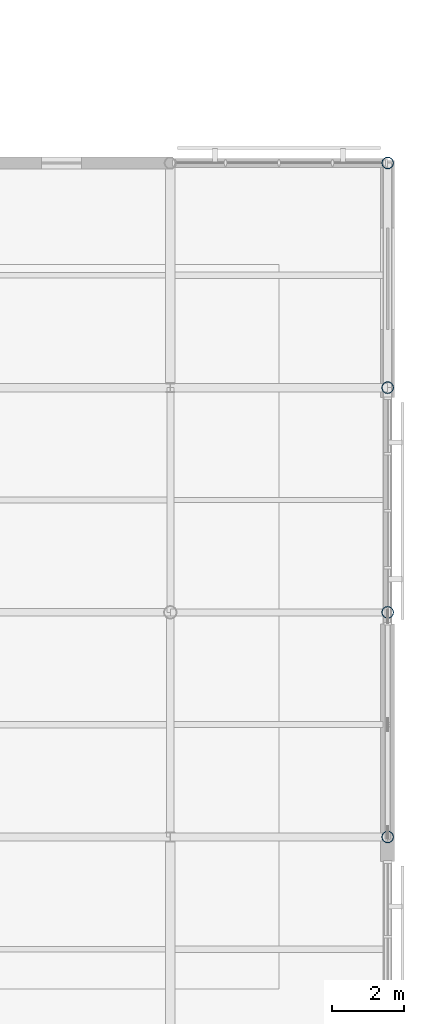
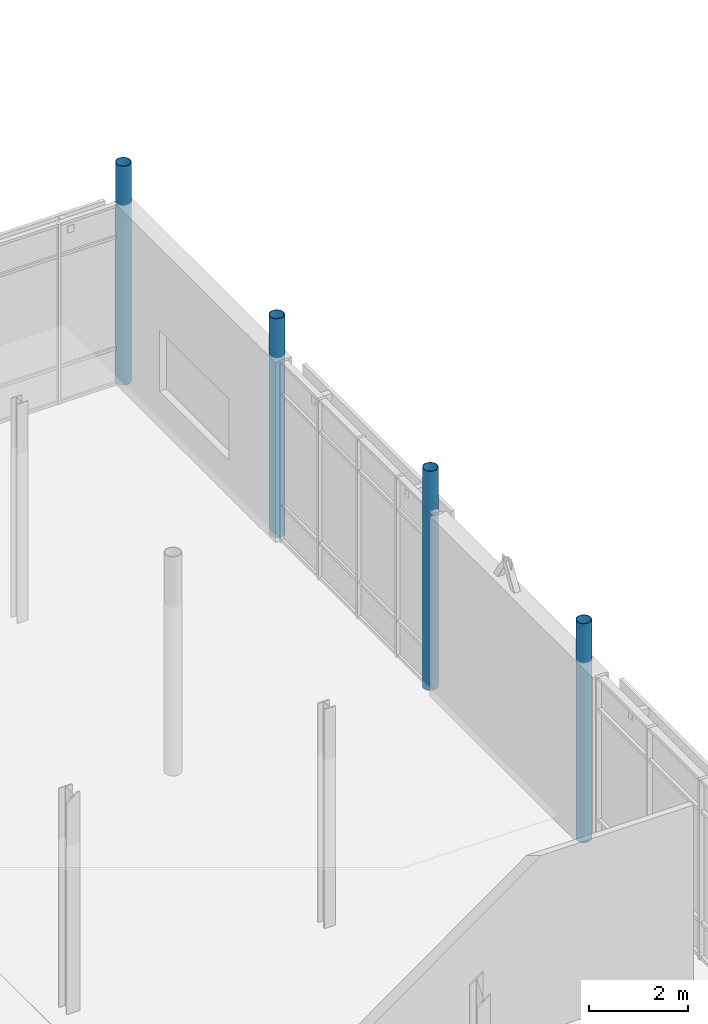
# One storey, part 17 of 105: 4 columns.
"""IFC4 building model written with IfcOpenShell, lengths in metres."""

import ifcopenshell
import ifcopenshell.guid

model = None  # the IFC model being written
_history = None  # IfcOwnerHistory: only IFC2X3 demands one
_inside = {}  # id of a spatial element -> (the spatial element, [elements in it])
_under = {}  # id of a project, library or spatial element -> (it, [spatial elements below it])
_declared = {}  # id of a project -> (the project, [libraries it declares])
_typed = {}  # id of a type object -> (the type object, [elements of that type])
_made_of = {}  # id of a material, layer set ... -> (it, [elements and type objects made of it])


def new_model(schema):
    """Start an empty IFC model of exactly this schema.

    Asked for "IFC4X3", IfcOpenShell would pick the latest addendum, in which some entities
    have other attributes; the version numbers below select the first issue.
    IFC2X3 requires an IfcOwnerHistory on every rooted entity: one is made here for all.
    """
    global model, _history
    if schema == "IFC4X3":
        model = ifcopenshell.file(schema_version=(4, 3, 0, 0))
    else:
        model = ifcopenshell.file(schema=schema)
    _inside.clear()
    _under.clear()
    _declared.clear()
    _typed.clear()
    _made_of.clear()
    _history = None
    if model.schema == "IFC2X3":
        org = make("IfcOrganization", Name="unknown")
        user = make(
            "IfcPersonAndOrganization",
            ThePerson=make("IfcPerson", FamilyName="unknown"),
            TheOrganization=org,
        )
        app = make(
            "IfcApplication",
            ApplicationDeveloper=org,
            Version="unknown",
            ApplicationFullName="unknown",
            ApplicationIdentifier="unknown",
        )
        _history = make(
            "IfcOwnerHistory",
            OwningUser=user,
            OwningApplication=app,
            ChangeAction="ADDED",
            CreationDate=0,
        )
    return model


def make(cls, **values):
    """One entity of the class cls with the attributes given. An attribute that is None is left unset."""
    return model.create_entity(
        cls, **{name: value for name, value in values.items() if value is not None}
    )


def rooted(cls, **values):
    """An entity with a GlobalId (a new one), such as an element, a storey or a relation."""
    return make(cls, GlobalId=ifcopenshell.guid.new(), OwnerHistory=_history, **values)


def si_unit(unit_type, name, prefix=None):
    """IfcSIUnit, for example si_unit("LENGTHUNIT", "METRE", prefix="MILLI")."""
    return make("IfcSIUnit", UnitType=unit_type, Prefix=prefix, Name=name)


def assignment(units):
    """IfcUnitAssignment: the units of a project."""
    return None if units is None else make("IfcUnitAssignment", Units=units)


def point(xyz):
    """IfcCartesianPoint."""
    return None if xyz is None else make("IfcCartesianPoint", Coordinates=xyz)


def direction(xyz):
    """IfcDirection."""
    return None if xyz is None else make("IfcDirection", DirectionRatios=xyz)


def frame(location, z_axis=None, x_axis=None):
    """IfcAxis2Placement3D, a coordinate frame: its origin and axes. An axis left out is left unset."""
    return make(
        "IfcAxis2Placement3D",
        Location=point(location),
        Axis=direction(z_axis),
        RefDirection=direction(x_axis),
    )


def frame_2d(location, x_axis=None):
    """IfcAxis2Placement2D, a coordinate frame in the plane: its origin and x axis."""
    return make(
        "IfcAxis2Placement2D", Location=point(location), RefDirection=direction(x_axis)
    )


def origin():
    """The frame at (0, 0, 0) with its axes left unset."""
    return frame((0.0, 0.0, 0.0))


def origin_2d():
    """The frame at (0, 0) in the plane with its x axis left unset."""
    return frame_2d((0.0, 0.0))


def place(relative_to, where):
    """IfcLocalPlacement: puts the frame where relative to a parent placement (None: the world)."""
    return make(
        "IfcLocalPlacement", PlacementRelTo=relative_to, RelativePlacement=where
    )


def context(
    kind, dimensions, precision=None, world=None, true_north=None, identifier=None
):
    """IfcGeometricRepresentationContext, for example the 3D "Model" context."""
    return make(
        "IfcGeometricRepresentationContext",
        ContextIdentifier=identifier,
        ContextType=kind,
        CoordinateSpaceDimension=dimensions,
        Precision=precision,
        WorldCoordinateSystem=world,
        TrueNorth=true_north,
    )


def subcontext(parent, identifier, kind, view, scale=None):
    """IfcGeometricRepresentationSubContext, for example "Body" below "Model"."""
    return make(
        "IfcGeometricRepresentationSubContext",
        ContextIdentifier=identifier,
        ContextType=kind,
        ParentContext=parent,
        TargetScale=scale,
        TargetView=view,
    )


def project(units=None, contexts=None):
    """IfcProject with its units and contexts."""
    return rooted(
        "IfcProject",
        Name="project",
        RepresentationContexts=contexts,
        UnitsInContext=assignment(units),
    )


def spatial(cls, under=None, at=None, **own):
    """A site, building, storey or space (cls), placed at a placement, below another one or the project."""
    s = rooted(cls, ObjectPlacement=at, **own)
    if under is not None:
        _under.setdefault(under.id(), (under, []))[1].append(s)
    return s


def profile(cls, at=None, kind="AREA", **sizes):
    """A parametric profile (cls). Its sizes go by their IFC names, for example OverallWidth=200.0."""
    return make(cls, ProfileType=kind, Position=at, **sizes)


def hollow_circle(**sizes):
    """IfcCircleHollowProfileDef."""
    return profile("IfcCircleHollowProfileDef", **sizes)


def extrude(swept, where, along, depth):
    """IfcExtrudedAreaSolid: the profile swept, set in the frame where, extruded along a direction by depth."""
    return make(
        "IfcExtrudedAreaSolid",
        SweptArea=swept,
        Position=where,
        ExtrudedDirection=direction(along),
        Depth=depth,
    )


def shape(context_of_items, identifier, shape_type, items):
    """IfcShapeRepresentation: the items that make up one representation, for example the "Body"."""
    return make(
        "IfcShapeRepresentation",
        ContextOfItems=context_of_items,
        RepresentationIdentifier=identifier,
        RepresentationType=shape_type,
        Items=items,
    )


def material(Name=None, Category=None):
    """IfcMaterial."""
    return make("IfcMaterial", Name=Name, Category=Category)


def material_profile(
    of_material, cross_section, Name=None, Category=None, Priority=None
):
    """IfcMaterialProfile: a cross section and its material."""
    return make(
        "IfcMaterialProfile",
        Name=Name,
        Material=of_material,
        Profile=cross_section,
        Priority=Priority,
        Category=Category,
    )


def profile_set(profiles, Name=None, composite=None):
    """IfcMaterialProfileSet."""
    return make(
        "IfcMaterialProfileSet",
        Name=Name,
        MaterialProfiles=profiles,
        CompositeProfile=composite,
    )


def made_of(thing, what):
    """Note that an element or type object is made of a material, layer set ...; save() writes the relation."""
    if what is not None:
        _made_of.setdefault(what.id(), (what, []))[1].append(thing)
    return thing


def type_object(cls, material=None, **own):
    """A type object (cls), such as IfcWallType, which elements share."""
    return made_of(rooted(cls, **own), material)


def element(
    cls,
    number,
    at=None,
    inside=None,
    cuts=None,
    type_object=None,
    material=None,
    context=None,
    identifier="Body",
    shape_type=None,
    held_by="IfcProductDefinitionShape",
    body=None,
    shapes=None,
    **own,
):
    """One element of the class cls, such as IfcWall. Its Tag is "e" and its number.

    at: its placement. inside: the storey or other place that contains it. cuts: it is an
    opening in that element (IfcRelVoidsElement). A single representation is given by context,
    identifier, shape_type and body (its items); several are given by shapes. held_by: the class
    of the entity that holds the representations. save() writes the other relations.
    """
    e = rooted(cls, Tag="e%d" % number, ObjectPlacement=at, **own)
    if body is not None:
        shapes = [shape(context, identifier, shape_type, body)]
    if shapes is not None:
        e.Representation = make(held_by, Representations=shapes)
    if inside is not None:
        _inside.setdefault(inside.id(), (inside, []))[1].append(e)
    if cuts is not None:
        rooted(
            "IfcRelVoidsElement", RelatingBuildingElement=cuts, RelatedOpeningElement=e
        )
    if type_object is not None:
        _typed.setdefault(type_object.id(), (type_object, []))[1].append(e)
    return made_of(e, material)


def aggregate(whole, parts):
    """IfcRelAggregates: a whole, such as a stair, and the parts it consists of."""
    return rooted("IfcRelAggregates", RelatingObject=whole, RelatedObjects=parts)


def save(model, path):
    """Write the relations noted so far, then the file.

    IfcRelAggregates (storeys below a building ...), IfcRelContainedInSpatialStructure (elements
    in a storey), IfcRelDefinesByType, IfcRelAssociatesMaterial and IfcRelDeclares: one each for
    every whole, place, type object, material and project.
    """
    for whole, parts in _under.values():
        aggregate(whole, parts)
    for where, things in _inside.values():
        rooted(
            "IfcRelContainedInSpatialStructure",
            RelatedElements=things,
            RelatingStructure=where,
        )
    for kind, things in _typed.values():
        rooted("IfcRelDefinesByType", RelatedObjects=things, RelatingType=kind)
    for what, things in _made_of.values():
        rooted("IfcRelAssociatesMaterial", RelatedObjects=things, RelatingMaterial=what)
    for by, libraries in _declared.values():
        rooted("IfcRelDeclares", RelatingContext=by, RelatedDefinitions=libraries)
    model.write(path)


model = new_model("IFC4")

# Units and contexts
model_context = context("Model", 3, precision=1e-05, world=origin(), true_north=direction((0.0, 1.0)))
body_context = subcontext(model_context, "Body", "Model", "MODEL_VIEW")
ifc_project = project(units=[si_unit("LENGTHUNIT", "METRE"), si_unit("AREAUNIT", "SQUARE_METRE"), si_unit("VOLUMEUNIT", "CUBIC_METRE"), si_unit("PLANEANGLEUNIT", "RADIAN"), si_unit("MASSUNIT", "GRAM", prefix="KILO")], contexts=[model_context])

# Site, building, storey
site_placement = place(None, origin())
site = spatial("IfcSite", under=ifc_project, at=site_placement, CompositionType="ELEMENT")
building_placement = place(site_placement, origin())
building = spatial("IfcBuilding", under=site, at=building_placement, Name="Mirzam Square Science Centre", CompositionType="ELEMENT")
storey_placement = place(building_placement, frame((0.0, 0.0, 5.39990234375)))
storey = spatial("IfcBuildingStorey", under=building, at=storey_placement, Name="L01", CompositionType="ELEMENT", Elevation=5.39990234375)

# Columns
ifc_material = material(Name="Steel S355", Category="steel")
ifc_material_profile = material_profile(ifc_material, hollow_circle(Radius=0.161865234375, WallThickness=0.012451171875, at=origin_2d()), Name="323.9x12.5CHS")
ifc_profile_set = profile_set([ifc_material_profile], Name="Steel S355")
column_type = type_object("IfcColumnType", Name="COL-CHS324", PredefinedType="COLUMN", material=ifc_profile_set)
for number, where, z_axis, x_axis, name in (
    (1, (162.0, 68.199951171875, 0.0), (0.0, 0.0, 1.0), (1.0, 0.0, 0.0), "L01 column G28-12"),
    (2, (162.0, 74.39990234375, 0.0), (0.0, 0.0, 1.0), (1.0, 0.0, 0.0), "L01 column G28-13"),
    (3, (162.0, 80.60009765625, 0.0), (0.0, 0.0, 1.0), (1.0, 0.0, 0.0), "L01 column G28-14"),
    (4, (162.0, 86.800048828125, 0.0), (0.0, 0.0, 1.0), (1.0, 0.0, 0.0), "L01 column G28-15"),
):
    element("IfcColumn", number, at=place(storey_placement, frame(where, z_axis=z_axis, x_axis=x_axis)), inside=storey, type_object=column_type, Name=name, PredefinedType="COLUMN", context=body_context, shape_type="SweptSolid", body=[
        extrude(hollow_circle(Radius=0.161865234375, WallThickness=0.012451171875, at=origin_2d()), origin(), (0.0, 0.0, 1.0), 5.400146484375),
    ])

save(model, "model.ifc")
